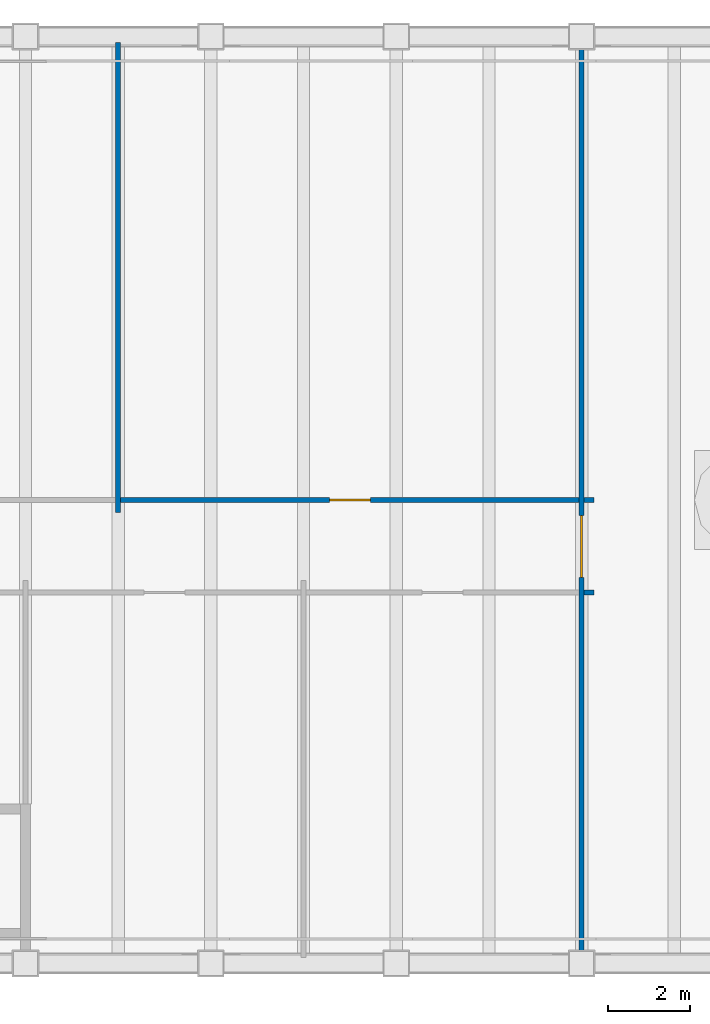
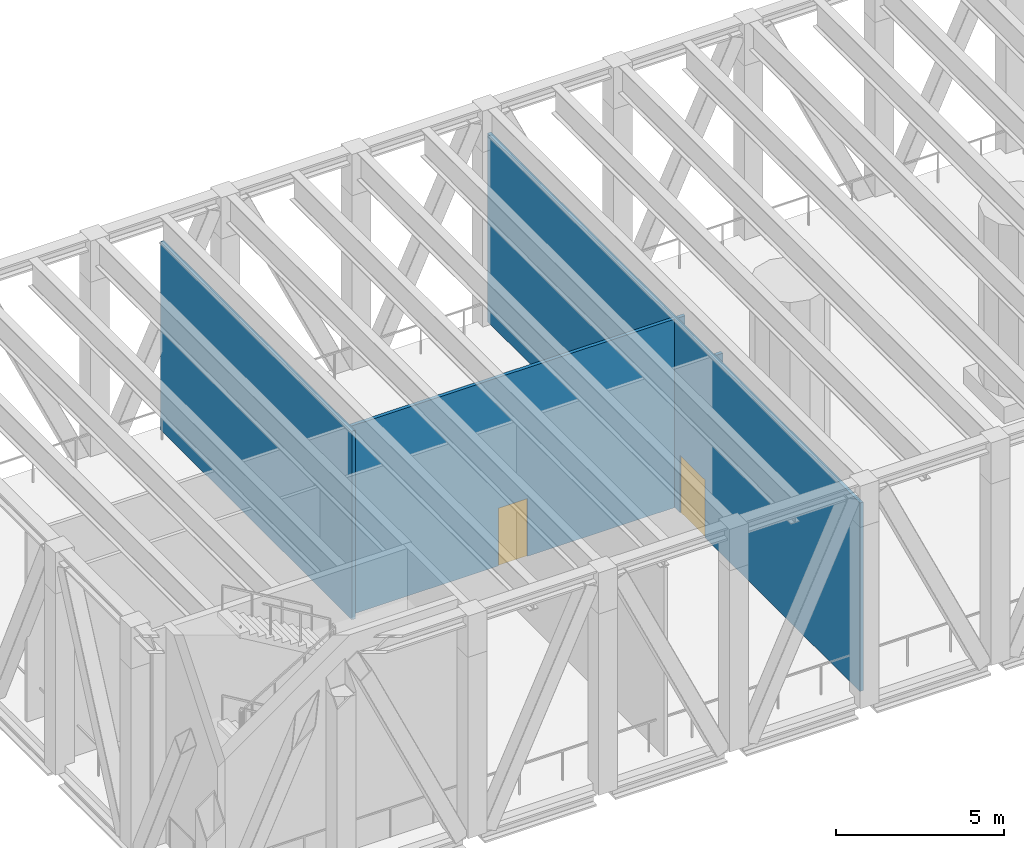
# One storey, part 3 of 11: 5 walls, 2 doors, 2 openings.
"""IFC4 building model written with IfcOpenShell, lengths in metres."""

import ifcopenshell
import ifcopenshell.guid

model = None  # the IFC model being written
_history = None  # IfcOwnerHistory: only IFC2X3 demands one
_inside = {}  # id of a spatial element -> (the spatial element, [elements in it])
_under = {}  # id of a project, library or spatial element -> (it, [spatial elements below it])
_declared = {}  # id of a project -> (the project, [libraries it declares])
_typed = {}  # id of a type object -> (the type object, [elements of that type])
_made_of = {}  # id of a material, layer set ... -> (it, [elements and type objects made of it])


def new_model(schema):
    """Start an empty IFC model of exactly this schema.

    Asked for "IFC4X3", IfcOpenShell would pick the latest addendum, in which some entities
    have other attributes; the version numbers below select the first issue.
    IFC2X3 requires an IfcOwnerHistory on every rooted entity: one is made here for all.
    """
    global model, _history
    if schema == "IFC4X3":
        model = ifcopenshell.file(schema_version=(4, 3, 0, 0))
    else:
        model = ifcopenshell.file(schema=schema)
    _inside.clear()
    _under.clear()
    _declared.clear()
    _typed.clear()
    _made_of.clear()
    _history = None
    if model.schema == "IFC2X3":
        org = make("IfcOrganization", Name="unknown")
        user = make(
            "IfcPersonAndOrganization",
            ThePerson=make("IfcPerson", FamilyName="unknown"),
            TheOrganization=org,
        )
        app = make(
            "IfcApplication",
            ApplicationDeveloper=org,
            Version="unknown",
            ApplicationFullName="unknown",
            ApplicationIdentifier="unknown",
        )
        _history = make(
            "IfcOwnerHistory",
            OwningUser=user,
            OwningApplication=app,
            ChangeAction="ADDED",
            CreationDate=0,
        )
    return model


def make(cls, **values):
    """One entity of the class cls with the attributes given. An attribute that is None is left unset."""
    return model.create_entity(
        cls, **{name: value for name, value in values.items() if value is not None}
    )


def rooted(cls, **values):
    """An entity with a GlobalId (a new one), such as an element, a storey or a relation."""
    return make(cls, GlobalId=ifcopenshell.guid.new(), OwnerHistory=_history, **values)


def si_unit(unit_type, name, prefix=None):
    """IfcSIUnit, for example si_unit("LENGTHUNIT", "METRE", prefix="MILLI")."""
    return make("IfcSIUnit", UnitType=unit_type, Prefix=prefix, Name=name)


def assignment(units):
    """IfcUnitAssignment: the units of a project."""
    return None if units is None else make("IfcUnitAssignment", Units=units)


def point(xyz):
    """IfcCartesianPoint."""
    return None if xyz is None else make("IfcCartesianPoint", Coordinates=xyz)


def direction(xyz):
    """IfcDirection."""
    return None if xyz is None else make("IfcDirection", DirectionRatios=xyz)


def frame(location, z_axis=None, x_axis=None):
    """IfcAxis2Placement3D, a coordinate frame: its origin and axes. An axis left out is left unset."""
    return make(
        "IfcAxis2Placement3D",
        Location=point(location),
        Axis=direction(z_axis),
        RefDirection=direction(x_axis),
    )


def frame_2d(location, x_axis=None):
    """IfcAxis2Placement2D, a coordinate frame in the plane: its origin and x axis."""
    return make(
        "IfcAxis2Placement2D", Location=point(location), RefDirection=direction(x_axis)
    )


def origin():
    """The frame at (0, 0, 0) with its axes left unset."""
    return frame((0.0, 0.0, 0.0))


def place(relative_to, where):
    """IfcLocalPlacement: puts the frame where relative to a parent placement (None: the world)."""
    return make(
        "IfcLocalPlacement", PlacementRelTo=relative_to, RelativePlacement=where
    )


def context(
    kind, dimensions, precision=None, world=None, true_north=None, identifier=None
):
    """IfcGeometricRepresentationContext, for example the 3D "Model" context."""
    return make(
        "IfcGeometricRepresentationContext",
        ContextIdentifier=identifier,
        ContextType=kind,
        CoordinateSpaceDimension=dimensions,
        Precision=precision,
        WorldCoordinateSystem=world,
        TrueNorth=true_north,
    )


def subcontext(parent, identifier, kind, view, scale=None):
    """IfcGeometricRepresentationSubContext, for example "Body" below "Model"."""
    return make(
        "IfcGeometricRepresentationSubContext",
        ContextIdentifier=identifier,
        ContextType=kind,
        ParentContext=parent,
        TargetScale=scale,
        TargetView=view,
    )


def project(units=None, contexts=None):
    """IfcProject with its units and contexts."""
    return rooted(
        "IfcProject",
        Name="project",
        RepresentationContexts=contexts,
        UnitsInContext=assignment(units),
    )


def spatial(cls, under=None, at=None, **own):
    """A site, building, storey or space (cls), placed at a placement, below another one or the project."""
    s = rooted(cls, ObjectPlacement=at, **own)
    if under is not None:
        _under.setdefault(under.id(), (under, []))[1].append(s)
    return s


def profile(cls, at=None, kind="AREA", **sizes):
    """A parametric profile (cls). Its sizes go by their IFC names, for example OverallWidth=200.0."""
    return make(cls, ProfileType=kind, Position=at, **sizes)


def rectangle(**sizes):
    """IfcRectangleProfileDef."""
    return profile("IfcRectangleProfileDef", **sizes)


def extrude(swept, where, along, depth):
    """IfcExtrudedAreaSolid: the profile swept, set in the frame where, extruded along a direction by depth."""
    return make(
        "IfcExtrudedAreaSolid",
        SweptArea=swept,
        Position=where,
        ExtrudedDirection=direction(along),
        Depth=depth,
    )


def shape(context_of_items, identifier, shape_type, items):
    """IfcShapeRepresentation: the items that make up one representation, for example the "Body"."""
    return make(
        "IfcShapeRepresentation",
        ContextOfItems=context_of_items,
        RepresentationIdentifier=identifier,
        RepresentationType=shape_type,
        Items=items,
    )


def material(Name=None, Category=None):
    """IfcMaterial."""
    return make("IfcMaterial", Name=Name, Category=Category)


def layer(
    of_material, thickness, ventilated=None, Name=None, Category=None, Priority=None
):
    """IfcMaterialLayer: one layer of a wall or slab, of a material (None: an air gap)."""
    return make(
        "IfcMaterialLayer",
        Material=of_material,
        LayerThickness=thickness,
        IsVentilated=ventilated,
        Name=Name,
        Category=Category,
        Priority=Priority,
    )


def layer_set(layers, Name=None):
    """IfcMaterialLayerSet."""
    return make("IfcMaterialLayerSet", MaterialLayers=layers, LayerSetName=Name)


def made_of(thing, what):
    """Note that an element or type object is made of a material, layer set ...; save() writes the relation."""
    if what is not None:
        _made_of.setdefault(what.id(), (what, []))[1].append(thing)
    return thing


def type_object(cls, material=None, **own):
    """A type object (cls), such as IfcWallType, which elements share."""
    return made_of(rooted(cls, **own), material)


def element(
    cls,
    number,
    at=None,
    inside=None,
    cuts=None,
    type_object=None,
    material=None,
    context=None,
    identifier="Body",
    shape_type=None,
    held_by="IfcProductDefinitionShape",
    body=None,
    shapes=None,
    **own,
):
    """One element of the class cls, such as IfcWall. Its Tag is "e" and its number.

    at: its placement. inside: the storey or other place that contains it. cuts: it is an
    opening in that element (IfcRelVoidsElement). A single representation is given by context,
    identifier, shape_type and body (its items); several are given by shapes. held_by: the class
    of the entity that holds the representations. save() writes the other relations.
    """
    e = rooted(cls, Tag="e%d" % number, ObjectPlacement=at, **own)
    if body is not None:
        shapes = [shape(context, identifier, shape_type, body)]
    if shapes is not None:
        e.Representation = make(held_by, Representations=shapes)
    if inside is not None:
        _inside.setdefault(inside.id(), (inside, []))[1].append(e)
    if cuts is not None:
        rooted(
            "IfcRelVoidsElement", RelatingBuildingElement=cuts, RelatedOpeningElement=e
        )
    if type_object is not None:
        _typed.setdefault(type_object.id(), (type_object, []))[1].append(e)
    return made_of(e, material)


def fill(opening, filler):
    """IfcRelFillsElement: the door or window that sits in an opening."""
    return rooted(
        "IfcRelFillsElement",
        RelatingOpeningElement=opening,
        RelatedBuildingElement=filler,
    )


def aggregate(whole, parts):
    """IfcRelAggregates: a whole, such as a stair, and the parts it consists of."""
    return rooted("IfcRelAggregates", RelatingObject=whole, RelatedObjects=parts)


def save(model, path):
    """Write the relations noted so far, then the file.

    IfcRelAggregates (storeys below a building ...), IfcRelContainedInSpatialStructure (elements
    in a storey), IfcRelDefinesByType, IfcRelAssociatesMaterial and IfcRelDeclares: one each for
    every whole, place, type object, material and project.
    """
    for whole, parts in _under.values():
        aggregate(whole, parts)
    for where, things in _inside.values():
        rooted(
            "IfcRelContainedInSpatialStructure",
            RelatedElements=things,
            RelatingStructure=where,
        )
    for kind, things in _typed.values():
        rooted("IfcRelDefinesByType", RelatedObjects=things, RelatingType=kind)
    for what, things in _made_of.values():
        rooted("IfcRelAssociatesMaterial", RelatedObjects=things, RelatingMaterial=what)
    for by, libraries in _declared.values():
        rooted("IfcRelDeclares", RelatingContext=by, RelatedDefinitions=libraries)
    model.write(path)


model = new_model("IFC4")

# Units and contexts
model_context = context("Model", 3, precision=1e-05, world=origin(), true_north=direction((0.0, 1.0)))
body_context = subcontext(model_context, "Body", "Model", "MODEL_VIEW")
ifc_project = project(units=[si_unit("LENGTHUNIT", "METRE"), si_unit("AREAUNIT", "SQUARE_METRE"), si_unit("VOLUMEUNIT", "CUBIC_METRE"), si_unit("PLANEANGLEUNIT", "RADIAN"), si_unit("MASSUNIT", "GRAM", prefix="KILO")], contexts=[model_context])

# Site, building, storey
site_placement = place(None, origin())
site = spatial("IfcSite", under=ifc_project, at=site_placement, CompositionType="ELEMENT")
building_placement = place(site_placement, origin())
building = spatial("IfcBuilding", under=site, at=building_placement, Name="Sennacour Bend Tower", CompositionType="ELEMENT")
storey_placement = place(building_placement, frame((0.0, 0.0, 297.0)))
storey = spatial("IfcBuildingStorey", under=building, at=storey_placement, Name="L69", CompositionType="ELEMENT", Elevation=297.0)

# Walls
ifc_material_1 = material(Name="Plasterboard partition on steel studs", Category="steel")
ifc_layer_1 = layer(ifc_material_1, 0.1201171875, Name="Plasterboard partition on steel studs", Category="steel")
ifc_layer_set_1 = layer_set([ifc_layer_1], Name="Plasterboard partition on steel studs")
wall_type_1 = type_object("IfcWallType", Name="Partition 120", PredefinedType="PARTITIONING", material=ifc_layer_set_1)
wall_1_placement = place(storey_placement, frame((11.25, 10.949951171875, 0.0), z_axis=(0.0, 0.0, 1.0), x_axis=(0.0, 1.0, 0.0)))
element("IfcWall", 1, at=wall_1_placement, inside=storey, type_object=wall_type_1, Name="P-L69-W006a", PredefinedType="PARTITIONING", context=body_context, shape_type="SweptSolid", body=[
    extrude(rectangle(XDim=11.400146484375, YDim=0.1201171875, at=frame_2d((5.7001953125, 0.0))), origin(), (0.0, 0.0, 1.0), 6.85888671875),
])
for number, where, z_axis, x_axis, name in (
    (2, (22.56005859375, 9.0, 0.0), (0.0, 0.0, 1.0), (1.0, 0.0, 0.0), "P-L69-W030ad"),
    (3, (22.56005859375, 11.25, 0.0), (0.0, 0.0, 1.0), (1.0, 0.0, 0.0), "P-L69-W033ac"),
):
    element("IfcWall", number, at=place(storey_placement, frame(where, z_axis=z_axis, x_axis=x_axis)), inside=storey, type_object=wall_type_1, Name=name, PredefinedType="PARTITIONING", context=body_context, shape_type="SweptSolid", body=[
        extrude(rectangle(XDim=0.239990234375, YDim=0.1201171875, at=frame_2d((0.1201171875, 0.0))), origin(), (0.0, 0.0, 1.0), 6.85888671875),
    ])

# Wall, opening, door
ifc_layer_2 = layer(ifc_material_1, 0.1201171875, Name="Plasterboard partition on steel studs", Category="steel")
ifc_layer_set_2 = layer_set([ifc_layer_2], Name="Plasterboard partition on steel studs")
wall_type_2 = type_object("IfcWallType", Name="Partition 120 EI 30", PredefinedType="PARTITIONING", material=ifc_layer_set_2)
wall_2_placement = place(storey_placement, frame((22.5, 0.14990234375, 0.0), z_axis=(0.0, 0.0, 1.0), x_axis=(0.0, 1.0, 0.0)))
wall_2 = element("IfcWall", 4, at=wall_2_placement, inside=storey, type_object=wall_type_2, Name="P-L69-W008a", PredefinedType="PARTITIONING", context=body_context, shape_type="SweptSolid", body=[
    extrude(rectangle(XDim=22.2001953125, YDim=0.1201171875, at=frame_2d((11.10009765625, 0.0))), origin(), (0.0, 0.0, 1.0), 6.85888671875),
])
opening_1_placement = place(wall_2_placement, frame((9.22509765625, 0.0, 0.0)))
opening_1 = element("IfcOpeningElement", 5, at=opening_1_placement, cuts=wall_2, Name="Opening KD", PredefinedType="OPENING", context=body_context, shape_type="SweptSolid", body=[
    extrude(rectangle(XDim=1.5, YDim=2.10009765625, at=frame_2d((0.75, 1.050048828125))), frame((0.0, 0.070068359375, 0.0), z_axis=(0.0, -1.0, 0.0), x_axis=(1.0, 0.0, 0.0)), (0.0, 0.0, 1.0), 0.14013671875),
])
ifc_material_2 = material(Name="Painted steel", Category="steel")
door_type_1 = type_object("IfcDoorType", Name="DR-CORRIDOR-1500", OperationType="NOTDEFINED", PredefinedType="DOOR", material=ifc_material_2)
door_1_placement = place(opening_1_placement, origin())
door_1 = element("IfcDoor", 6, at=door_1_placement, inside=storey, type_object=door_type_1, Name="Door", OperationType="SINGLE_SWING_LEFT", OverallHeight=2.10009765625, OverallWidth=1.5, PredefinedType="DOOR", context=body_context, shape_type="SweptSolid", body=[
    extrude(rectangle(XDim=1.5, YDim=2.10009765625, at=frame_2d((0.75, 1.050048828125))), frame((0.0, 0.02490234375, 0.0), z_axis=(0.0, -1.0, 0.0), x_axis=(1.0, 0.0, 0.0)), (0.0, 0.0, 1.0), 0.050048828125),
])
fill(opening_1, door_1)

ifc_layer_3 = layer(ifc_material_1, 0.1201171875, Name="Plasterboard partition on steel studs", Category="steel")
ifc_layer_set_3 = layer_set([ifc_layer_3], Name="Plasterboard partition on steel studs")
wall_type_3 = type_object("IfcWallType", Name="Partition 120 EI 60", PredefinedType="PARTITIONING", material=ifc_layer_set_3)
wall_3_placement = place(storey_placement, frame((11.31005859375, 11.25, 0.0), z_axis=(0.0, 0.0, 1.0), x_axis=(1.0, 0.0, 0.0)))
wall_3 = element("IfcWall", 7, at=wall_3_placement, inside=storey, type_object=wall_type_3, Name="P-L69-W033ab", PredefinedType="PARTITIONING", context=body_context, shape_type="SweptSolid", body=[
    extrude(rectangle(XDim=11.1298828125, YDim=0.1201171875, at=frame_2d((5.56494140625, 0.0))), origin(), (0.0, 0.0, 1.0), 6.85888671875),
])
opening_2_placement = place(wall_3_placement, frame((5.06494140625, 0.0, 0.0)))
opening_2 = element("IfcOpeningElement", 8, at=opening_2_placement, cuts=wall_3, Name="Opening PD2", PredefinedType="OPENING", context=body_context, shape_type="SweptSolid", body=[
    extrude(rectangle(XDim=1.0, YDim=2.10009765625, at=frame_2d((0.5, 1.050048828125))), frame((0.0, 0.070068359375, 0.0), z_axis=(0.0, -1.0, 0.0), x_axis=(1.0, 0.0, 0.0)), (0.0, 0.0, 1.0), 0.14013671875),
])
door_type_2 = type_object("IfcDoorType", Name="DR-PLANT-1000", OperationType="NOTDEFINED", PredefinedType="DOOR", material=ifc_material_2)
door_2_placement = place(opening_2_placement, origin())
door_2 = element("IfcDoor", 9, at=door_2_placement, inside=storey, type_object=door_type_2, Name="Door", OperationType="SINGLE_SWING_LEFT", OverallHeight=2.10009765625, OverallWidth=1.0, PredefinedType="DOOR", context=body_context, shape_type="SweptSolid", body=[
    extrude(rectangle(XDim=1.0, YDim=2.10009765625, at=frame_2d((0.5, 1.050048828125))), frame((0.0, 0.02490234375, 0.0), z_axis=(0.0, -1.0, 0.0), x_axis=(1.0, 0.0, 0.0)), (0.0, 0.0, 1.0), 0.050048828125),
])
fill(opening_2, door_2)

save(model, "model.ifc")
